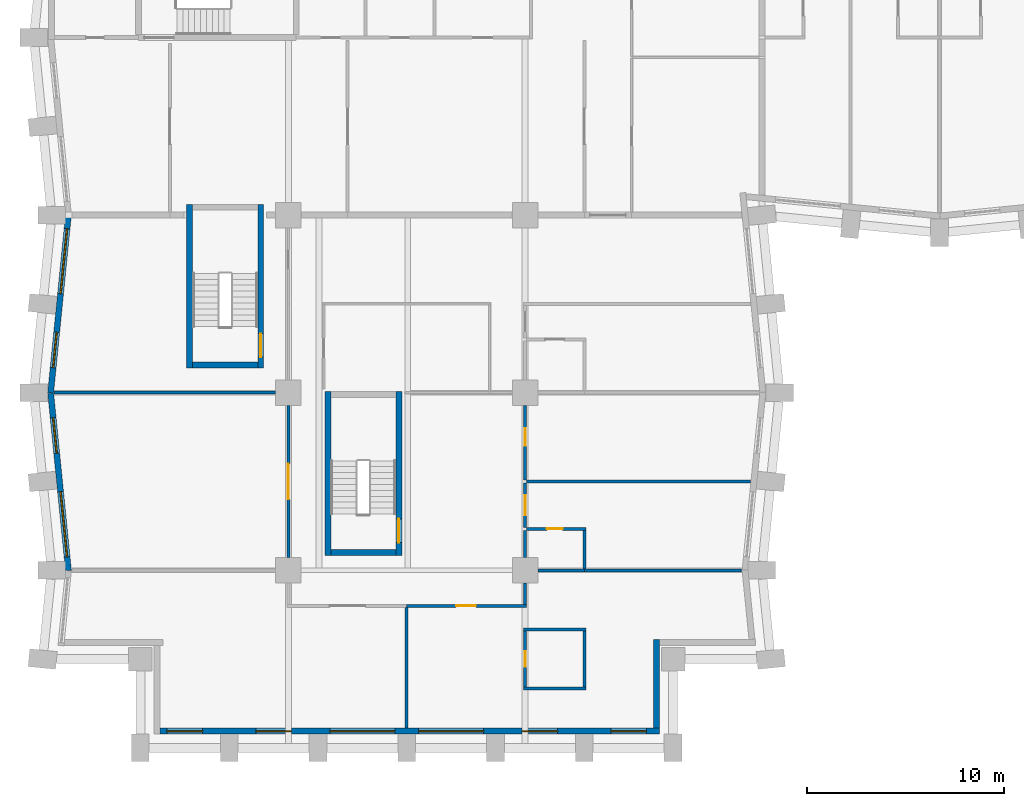
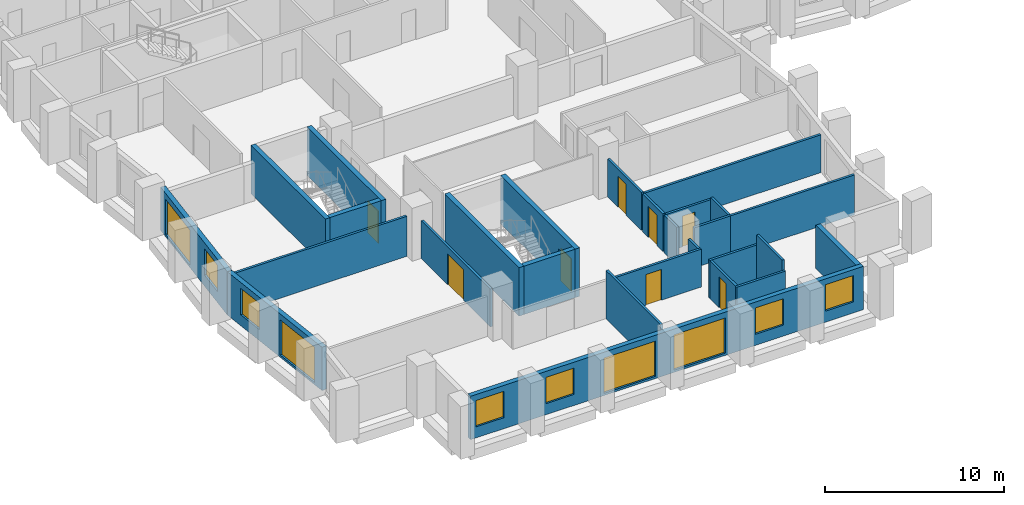
# One storey, part 3 of 12: 27 walls, 10 windows, 8 doors, 18 openings.
"""IFC4 building model written with IfcOpenShell, lengths in metres."""

from ifc_helpers import new_model, si_unit, direction, frame, frame_2d, origin, place, context, subcontext, project, spatial, rectangle, extrude, material, layer, layer_set, type_object, element, fill, save


model = new_model("IFC4")

# Units and contexts
model_context = context("Model", 3, precision=1e-05, world=origin(), true_north=direction((0.0, 1.0)))
body_context = subcontext(model_context, "Body", "Model", "MODEL_VIEW")
ifc_project = project(units=[si_unit("LENGTHUNIT", "METRE"), si_unit("AREAUNIT", "SQUARE_METRE"), si_unit("VOLUMEUNIT", "CUBIC_METRE"), si_unit("PLANEANGLEUNIT", "RADIAN"), si_unit("MASSUNIT", "GRAM", prefix="KILO")], contexts=[model_context])

# Site, building, storey
site_placement = place(None, origin())
site = spatial("IfcSite", under=ifc_project, at=site_placement, CompositionType="ELEMENT")
building_placement = place(site_placement, origin())
building = spatial("IfcBuilding", under=site, at=building_placement, Name="Brondeck Convention Tower", CompositionType="ELEMENT")
storey_placement = place(building_placement, frame((0.0, 0.0, 77.10009765625)))
storey = spatial("IfcBuildingStorey", under=building, at=storey_placement, Name="L17", CompositionType="ELEMENT", Elevation=77.10009765625)

# Wall, openings, windows
ifc_material_1 = material(Name="Precast concrete C50/60 bronze finish", Category="concrete")
ifc_layer_1 = layer(ifc_material_1, 0.070068359375, Name="Bronze precast facing")
ifc_material_2 = material(Name="Mineral wool")
ifc_layer_2 = layer(ifc_material_2, 0.159912109375, Name="Insulation")
ifc_material_3 = material(Name="Concrete C35/45", Category="concrete")
ifc_layer_3 = layer(ifc_material_3, 0.070068359375, Name="Backing")
ifc_layer_set_1 = layer_set([ifc_layer_1, ifc_layer_2, ifc_layer_3], Name="External infill wall, precast concrete C50/60 bronze facing")
wall_type_1 = type_object("IfcWallType", Name="External infill wall, precast concrete C50/60 bronze facing", PredefinedType="SOLIDWALL", material=ifc_layer_set_1)
wall_1_placement = place(storey_placement, frame((30.800048828125, 0.85009765625, 0.0), z_axis=(0.0, 0.0, 1.0), x_axis=(-1.0, 0.0, 0.0)))
wall_1 = element("IfcWall", 1, at=wall_1_placement, inside=storey, type_object=wall_type_1, Name="ENV-EW-L17-P0-B-S0-01", PredefinedType="SOLIDWALL", context=body_context, shape_type="SweptSolid", body=[
    extrude(rectangle(XDim=25.300048828125, YDim=0.300048828125, at=frame_2d((12.64990234375, 0.0))), origin(), (0.0, 0.0, 1.0), 2.949951171875),
])
opening_1_placement = place(wall_1_placement, frame((0.64990234375, 0.0, 0.75)))
opening_1 = element("IfcOpeningElement", 2, at=opening_1_placement, cuts=wall_1, Name="Opening W10", PredefinedType="OPENING", context=body_context, shape_type="SweptSolid", body=[
    extrude(rectangle(XDim=1.800048828125, YDim=1.800048828125, at=frame_2d((0.89990234375, 0.89990234375))), frame((0.0, 0.159912109375, 0.0), z_axis=(0.0, -1.0, 0.0), x_axis=(1.0, 0.0, 0.0)), (0.0, 0.0, 1.0), 0.320068359375),
])
opening_2_placement = place(wall_1_placement, frame((5.14990234375, 0.0, 0.75)))
opening_2 = element("IfcOpeningElement", 3, at=opening_2_placement, cuts=wall_1, Name="Opening W10", PredefinedType="OPENING", context=body_context, shape_type="SweptSolid", body=[
    extrude(rectangle(XDim=1.800048828125, YDim=1.800048828125, at=frame_2d((0.89990234375, 0.89990234375))), frame((0.0, 0.159912109375, 0.0), z_axis=(0.0, -1.0, 0.0), x_axis=(1.0, 0.0, 0.0)), (0.0, 0.0, 1.0), 0.320068359375),
])
opening_3_placement = place(wall_1_placement, frame((8.89990234375, 0.0, 0.14990234375)))
opening_3 = element("IfcOpeningElement", 4, at=opening_3_placement, cuts=wall_1, Name="Opening W9", PredefinedType="OPENING", context=body_context, shape_type="SweptSolid", body=[
    extrude(rectangle(XDim=3.300048828125, YDim=2.39990234375, at=frame_2d((1.64990234375, 1.199951171875))), frame((0.0, 0.159912109375, 0.0), z_axis=(0.0, -1.0, 0.0), x_axis=(1.0, 0.0, 0.0)), (0.0, 0.0, 1.0), 0.320068359375),
])
opening_4_placement = place(wall_1_placement, frame((13.39990234375, 0.0, 0.14990234375)))
opening_4 = element("IfcOpeningElement", 5, at=opening_4_placement, cuts=wall_1, Name="Opening W9", PredefinedType="OPENING", context=body_context, shape_type="SweptSolid", body=[
    extrude(rectangle(XDim=3.300048828125, YDim=2.39990234375, at=frame_2d((1.64990234375, 1.199951171875))), frame((0.0, 0.159912109375, 0.0), z_axis=(0.0, -1.0, 0.0), x_axis=(1.0, 0.0, 0.0)), (0.0, 0.0, 1.0), 0.320068359375),
])
opening_5_placement = place(wall_1_placement, frame((18.64990234375, 0.0, 0.75)))
opening_5 = element("IfcOpeningElement", 6, at=opening_5_placement, cuts=wall_1, Name="Opening W10", PredefinedType="OPENING", context=body_context, shape_type="SweptSolid", body=[
    extrude(rectangle(XDim=1.800048828125, YDim=1.800048828125, at=frame_2d((0.89990234375, 0.89990234375))), frame((0.0, 0.159912109375, 0.0), z_axis=(0.0, -1.0, 0.0), x_axis=(1.0, 0.0, 0.0)), (0.0, 0.0, 1.0), 0.320068359375),
])
opening_6_placement = place(wall_1_placement, frame((23.14990234375, 0.0, 0.75)))
opening_6 = element("IfcOpeningElement", 7, at=opening_6_placement, cuts=wall_1, Name="Opening W10", PredefinedType="OPENING", context=body_context, shape_type="SweptSolid", body=[
    extrude(rectangle(XDim=1.800048828125, YDim=1.800048828125, at=frame_2d((0.89990234375, 0.89990234375))), frame((0.0, 0.159912109375, 0.0), z_axis=(0.0, -1.0, 0.0), x_axis=(1.0, 0.0, 0.0)), (0.0, 0.0, 1.0), 0.320068359375),
])
ifc_material_4 = material(Name="Bronze tinted double glazing", Category="glass")
window_type_1 = type_object("IfcWindowType", Name="Glazed flute window, bronze tinted", PartitioningType="SINGLE_PANEL", PredefinedType="WINDOW", material=ifc_material_4)
window_1_placement = place(opening_3_placement, origin())
window_1 = element("IfcWindow", 8, at=window_1_placement, inside=storey, type_object=window_type_1, Name="ENV-WN-L17-P0-B-S0-04", OverallHeight=2.39990234375, OverallWidth=3.300048828125, PartitioningType="SINGLE_PANEL", PredefinedType="WINDOW", context=body_context, shape_type="SweptSolid", body=[
    extrude(rectangle(XDim=3.300048828125, YDim=2.39990234375, at=frame_2d((1.64990234375, 1.199951171875))), frame((0.0, 0.030029296875, 0.0), z_axis=(0.0, -1.0, 0.0), x_axis=(1.0, 0.0, 0.0)), (0.0, 0.0, 1.0), 0.06005859375),
])
fill(opening_3, window_1)
window_2_placement = place(opening_4_placement, origin())
window_2 = element("IfcWindow", 9, at=window_2_placement, inside=storey, type_object=window_type_1, Name="ENV-WN-L17-P0-B-S0-03", OverallHeight=2.39990234375, OverallWidth=3.300048828125, PartitioningType="SINGLE_PANEL", PredefinedType="WINDOW", context=body_context, shape_type="SweptSolid", body=[
    extrude(rectangle(XDim=3.300048828125, YDim=2.39990234375, at=frame_2d((1.64990234375, 1.199951171875))), frame((0.0, 0.030029296875, 0.0), z_axis=(0.0, -1.0, 0.0), x_axis=(1.0, 0.0, 0.0)), (0.0, 0.0, 1.0), 0.06005859375),
])
fill(opening_4, window_2)
window_type_2 = type_object("IfcWindowType", Name="Punched window, bronze tinted", PartitioningType="SINGLE_PANEL", PredefinedType="WINDOW", material=ifc_material_4)
window_3_placement = place(opening_1_placement, origin())
window_3 = element("IfcWindow", 10, at=window_3_placement, inside=storey, type_object=window_type_2, Name="ENV-WN-L17-P0-B-S0-06", OverallHeight=1.800048828125, OverallWidth=1.800048828125, PartitioningType="SINGLE_PANEL", PredefinedType="WINDOW", context=body_context, shape_type="SweptSolid", body=[
    extrude(rectangle(XDim=1.800048828125, YDim=1.800048828125, at=frame_2d((0.89990234375, 0.89990234375))), frame((0.0, 0.030029296875, 0.0), z_axis=(0.0, -1.0, 0.0), x_axis=(1.0, 0.0, 0.0)), (0.0, 0.0, 1.0), 0.06005859375),
])
fill(opening_1, window_3)
window_4_placement = place(opening_2_placement, origin())
window_4 = element("IfcWindow", 11, at=window_4_placement, inside=storey, type_object=window_type_2, Name="ENV-WN-L17-P0-B-S0-05", OverallHeight=1.800048828125, OverallWidth=1.800048828125, PartitioningType="SINGLE_PANEL", PredefinedType="WINDOW", context=body_context, shape_type="SweptSolid", body=[
    extrude(rectangle(XDim=1.800048828125, YDim=1.800048828125, at=frame_2d((0.89990234375, 0.89990234375))), frame((0.0, 0.030029296875, 0.0), z_axis=(0.0, -1.0, 0.0), x_axis=(1.0, 0.0, 0.0)), (0.0, 0.0, 1.0), 0.06005859375),
])
fill(opening_2, window_4)
window_5_placement = place(opening_5_placement, origin())
window_5 = element("IfcWindow", 12, at=window_5_placement, inside=storey, type_object=window_type_2, Name="ENV-WN-L17-P0-B-S0-02", OverallHeight=1.800048828125, OverallWidth=1.800048828125, PartitioningType="SINGLE_PANEL", PredefinedType="WINDOW", context=body_context, shape_type="SweptSolid", body=[
    extrude(rectangle(XDim=1.800048828125, YDim=1.800048828125, at=frame_2d((0.89990234375, 0.89990234375))), frame((0.0, 0.030029296875, 0.0), z_axis=(0.0, -1.0, 0.0), x_axis=(1.0, 0.0, 0.0)), (0.0, 0.0, 1.0), 0.06005859375),
])
fill(opening_5, window_5)
window_6_placement = place(opening_6_placement, origin())
window_6 = element("IfcWindow", 13, at=window_6_placement, inside=storey, type_object=window_type_2, Name="ENV-WN-L17-P0-B-S0-01", OverallHeight=1.800048828125, OverallWidth=1.800048828125, PartitioningType="SINGLE_PANEL", PredefinedType="WINDOW", context=body_context, shape_type="SweptSolid", body=[
    extrude(rectangle(XDim=1.800048828125, YDim=1.800048828125, at=frame_2d((0.89990234375, 0.89990234375))), frame((0.0, 0.030029296875, 0.0), z_axis=(0.0, -1.0, 0.0), x_axis=(1.0, 0.0, 0.0)), (0.0, 0.0, 1.0), 0.06005859375),
])
fill(opening_6, window_6)

# Wall
wall_2_placement = place(storey_placement, frame((30.64990234375, 5.5, 0.0), z_axis=(0.0, 0.0, 1.0), x_axis=(0.0, -1.0, 0.0)))
element("IfcWall", 14, at=wall_2_placement, inside=storey, type_object=wall_type_1, Name="ENV-EW-L17-P0-NC-SEB0-01", PredefinedType="SOLIDWALL", context=body_context, shape_type="SweptSolid", body=[
    extrude(rectangle(XDim=4.501953125, YDim=0.300048828125, at=frame_2d((2.2509765625, 0.0))), origin(), (0.0, 0.0, 1.0), 2.949951171875),
])

# Wall, openings, windows
wall_3_placement = place(storey_placement, frame((-0.04736328125, 17.985107421875, 0.0), z_axis=(0.0, 0.0, 1.0), x_axis=(0.099522457379, 0.995035316196, 0.0)))
wall_3 = element("IfcWall", 15, at=wall_3_placement, inside=storey, type_object=wall_type_1, Name="ENV-EW-L17-P0-B-W-08", PredefinedType="SOLIDWALL", context=body_context, shape_type="SweptSolid", body=[
    extrude(rectangle(XDim=9.030029296875, YDim=0.300048828125, at=frame_2d((4.51513671875, 0.0))), origin(), (0.0, 0.0, 1.0), 2.949951171875),
])
opening_7_placement = place(wall_3_placement, frame((1.291259765625, 0.0, 0.75)))
opening_7 = element("IfcOpeningElement", 16, at=opening_7_placement, cuts=wall_3, Name="Opening W10", PredefinedType="OPENING", context=body_context, shape_type="SweptSolid", body=[
    extrude(rectangle(XDim=1.800048828125, YDim=1.800048828125, at=frame_2d((0.89990234375, 0.89990234375))), frame((0.0, 0.159912109375, 0.0), z_axis=(0.0, -1.0, 0.0), x_axis=(1.0, 0.0, 0.0)), (0.0, 0.0, 1.0), 0.320068359375),
])
opening_8_placement = place(wall_3_placement, frame((5.063720703125, 0.0, 0.14990234375)))
opening_8 = element("IfcOpeningElement", 17, at=opening_8_placement, cuts=wall_3, Name="Opening W9", PredefinedType="OPENING", context=body_context, shape_type="SweptSolid", body=[
    extrude(rectangle(XDim=3.300048828125, YDim=2.39990234375, at=frame_2d((1.64990234375, 1.199951171875))), frame((0.0, 0.159912109375, 0.0), z_axis=(0.0, -1.0, 0.0), x_axis=(1.0, 0.0, 0.0)), (0.0, 0.0, 1.0), 0.320068359375),
])
window_7_placement = place(opening_8_placement, origin())
window_7 = element("IfcWindow", 18, at=window_7_placement, inside=storey, type_object=window_type_1, Name="ENV-WN-L17-P0-B-W-08", OverallHeight=2.39990234375, OverallWidth=3.300048828125, PartitioningType="SINGLE_PANEL", PredefinedType="WINDOW", context=body_context, shape_type="SweptSolid", body=[
    extrude(rectangle(XDim=3.300048828125, YDim=2.39990234375, at=frame_2d((1.64990234375, 1.199951171875))), frame((0.0, 0.030029296875, 0.0), z_axis=(0.0, -1.0, 0.0), x_axis=(1.0, 0.0, 0.0)), (0.0, 0.0, 1.0), 0.06005859375),
])
fill(opening_8, window_7)
window_8_placement = place(opening_7_placement, origin())
window_8 = element("IfcWindow", 19, at=window_8_placement, inside=storey, type_object=window_type_2, Name="ENV-WN-L17-P0-B-W-09", OverallHeight=1.800048828125, OverallWidth=1.800048828125, PartitioningType="SINGLE_PANEL", PredefinedType="WINDOW", context=body_context, shape_type="SweptSolid", body=[
    extrude(rectangle(XDim=1.800048828125, YDim=1.800048828125, at=frame_2d((0.89990234375, 0.89990234375))), frame((0.0, 0.030029296875, 0.0), z_axis=(0.0, -1.0, 0.0), x_axis=(1.0, 0.0, 0.0)), (0.0, 0.0, 1.0), 0.06005859375),
])
fill(opening_7, window_8)

wall_4_placement = place(storey_placement, frame((0.855712890625, 8.985107421875, 0.0), z_axis=(0.0, 0.0, 1.0), x_axis=(-0.099495688264, 0.995037993253, 0.0)))
wall_4 = element("IfcWall", 20, at=wall_4_placement, inside=storey, type_object=wall_type_1, Name="ENV-EW-L17-P0-B-W-10", PredefinedType="SOLIDWALL", context=body_context, shape_type="SweptSolid", body=[
    extrude(rectangle(XDim=9.030029296875, YDim=0.300048828125, at=frame_2d((4.51513671875, 0.0))), origin(), (0.0, 0.0, 1.0), 2.949951171875),
])
opening_9_placement = place(wall_4_placement, frame((0.711181640625, 0.0, 0.14990234375)))
opening_9 = element("IfcOpeningElement", 21, at=opening_9_placement, cuts=wall_4, Name="Opening W9", PredefinedType="OPENING", context=body_context, shape_type="SweptSolid", body=[
    extrude(rectangle(XDim=3.300048828125, YDim=2.39990234375, at=frame_2d((1.64990234375, 1.199951171875))), frame((0.0, 0.159912109375, 0.0), z_axis=(0.0, -1.0, 0.0), x_axis=(1.0, 0.0, 0.0)), (0.0, 0.0, 1.0), 0.320068359375),
])
opening_10_placement = place(wall_4_placement, frame((5.983642578125, 0.0, 0.75)))
opening_10 = element("IfcOpeningElement", 22, at=opening_10_placement, cuts=wall_4, Name="Opening W10", PredefinedType="OPENING", context=body_context, shape_type="SweptSolid", body=[
    extrude(rectangle(XDim=1.800048828125, YDim=1.800048828125, at=frame_2d((0.89990234375, 0.89990234375))), frame((0.0, 0.159912109375, 0.0), z_axis=(0.0, -1.0, 0.0), x_axis=(1.0, 0.0, 0.0)), (0.0, 0.0, 1.0), 0.320068359375),
])
window_9_placement = place(opening_9_placement, origin())
window_9 = element("IfcWindow", 23, at=window_9_placement, inside=storey, type_object=window_type_1, Name="ENV-WN-L17-P0-B-W-11", OverallHeight=2.39990234375, OverallWidth=3.300048828125, PartitioningType="SINGLE_PANEL", PredefinedType="WINDOW", context=body_context, shape_type="SweptSolid", body=[
    extrude(rectangle(XDim=3.300048828125, YDim=2.39990234375, at=frame_2d((1.64990234375, 1.199951171875))), frame((0.0, 0.030029296875, 0.0), z_axis=(0.0, -1.0, 0.0), x_axis=(1.0, 0.0, 0.0)), (0.0, 0.0, 1.0), 0.06005859375),
])
fill(opening_9, window_9)
window_10_placement = place(opening_10_placement, origin())
window_10 = element("IfcWindow", 24, at=window_10_placement, inside=storey, type_object=window_type_2, Name="ENV-WN-L17-P0-B-W-10", OverallHeight=1.800048828125, OverallWidth=1.800048828125, PartitioningType="SINGLE_PANEL", PredefinedType="WINDOW", context=body_context, shape_type="SweptSolid", body=[
    extrude(rectangle(XDim=1.800048828125, YDim=1.800048828125, at=frame_2d((0.89990234375, 0.89990234375))), frame((0.0, 0.030029296875, 0.0), z_axis=(0.0, -1.0, 0.0), x_axis=(1.0, 0.0, 0.0)), (0.0, 0.0, 1.0), 0.06005859375),
])
fill(opening_10, window_10)

# Walls
ifc_material_5 = material(Name="Double gypsum board acoustic wall")
ifc_layer_4 = layer(ifc_material_5, 0.14990234375)
ifc_layer_set_2 = layer_set([ifc_layer_4], Name="Guest room party wall 150")
wall_type_2 = type_object("IfcWallType", Name="Guest room party wall 150", PredefinedType="PARTITIONING", material=ifc_layer_set_2)
wall_5_placement = place(storey_placement, frame((23.925048828125, 3.0, 0.0), z_axis=(0.0, 0.0, 1.0), x_axis=(1.0, 0.0, 0.0)))
element("IfcWall", 25, at=wall_5_placement, inside=storey, type_object=wall_type_2, Name="FLR-L17-W001", PredefinedType="PARTITIONING", context=body_context, shape_type="SweptSolid", body=[
    extrude(rectangle(XDim=3.14990234375, YDim=0.14990234375, at=frame_2d((1.574951171875, 0.0))), origin(), (0.0, 0.0, 1.0), 2.579833984375),
])
wall_6_placement = place(storey_placement, frame((27.0, 3.074951171875, 0.0), z_axis=(0.0, 0.0, 1.0), x_axis=(0.0, 1.0, 0.0)))
element("IfcWall", 26, at=wall_6_placement, inside=storey, type_object=wall_type_2, Name="FLR-L17-W002", PredefinedType="PARTITIONING", context=body_context, shape_type="SweptSolid", body=[
    extrude(rectangle(XDim=2.85009765625, YDim=0.14990234375, at=frame_2d((1.425048828125, 0.0))), origin(), (0.0, 0.0, 1.0), 3.27978515625),
])

# Wall, opening, door
wall_7_placement = place(storey_placement, frame((24.0, 5.925048828125, 0.0), z_axis=(0.0, 0.0, 1.0), x_axis=(0.0, -1.0, 0.0)))
wall_7 = element("IfcWall", 27, at=wall_7_placement, inside=storey, type_object=wall_type_2, Name="FLR-L17-W003", PredefinedType="PARTITIONING", context=body_context, shape_type="SweptSolid", body=[
    extrude(rectangle(XDim=2.85009765625, YDim=0.14990234375, at=frame_2d((1.425048828125, 0.0))), origin(), (0.0, 0.0, 1.0), 2.579833984375),
])
opening_11_placement = place(wall_7_placement, frame((1.02490234375, 0.0, 0.0)))
opening_11 = element("IfcOpeningElement", 28, at=opening_11_placement, cuts=wall_7, Name="Opening H5-032", PredefinedType="OPENING", context=body_context, shape_type="SweptSolid", body=[
    extrude(rectangle(XDim=0.800048828125, YDim=2.10009765625, at=frame_2d((0.39990234375, 1.050048828125))), frame((0.0, 0.0849609375, 0.0), z_axis=(0.0, -1.0, 0.0), x_axis=(1.0, 0.0, 0.0)), (0.0, 0.0, 1.0), 0.169921875),
])
ifc_material_6 = material(Name="Solid timber door leaf", Category="wood")
door_type_1 = type_object("IfcDoorType", Name="En-suite door 800", OperationType="NOTDEFINED", PredefinedType="DOOR", material=ifc_material_6)
door_1_placement = place(opening_11_placement, origin())
door_1 = element("IfcDoor", 29, at=door_1_placement, inside=storey, type_object=door_type_1, Name="Door H5-032", OperationType="SINGLE_SWING_RIGHT", OverallHeight=2.10009765625, OverallWidth=0.800048828125, PredefinedType="DOOR", context=body_context, shape_type="SweptSolid", body=[
    extrude(rectangle(XDim=0.800048828125, YDim=2.10009765625, at=frame_2d((0.39990234375, 1.050048828125))), frame((0.0, 0.02490234375, 0.0), z_axis=(0.0, -1.0, 0.0), x_axis=(1.0, 0.0, 0.0)), (0.0, 0.0, 1.0), 0.050048828125),
])
fill(opening_11, door_1)

# Walls
wall_8_placement = place(storey_placement, frame((27.074951171875, 6.0, 0.0), z_axis=(0.0, 0.0, 1.0), x_axis=(-1.0, 0.0, 0.0)))
element("IfcWall", 30, at=wall_8_placement, inside=storey, type_object=wall_type_2, Name="FLR-L17-W004", PredefinedType="PARTITIONING", context=body_context, shape_type="SweptSolid", body=[
    extrude(rectangle(XDim=3.14990234375, YDim=0.14990234375, at=frame_2d((1.574951171875, 0.0))), origin(), (0.0, 0.0, 1.0), 2.579833984375),
])
wall_9_placement = place(storey_placement, frame((18.0, 7.125, 0.0), z_axis=(0.0, 0.0, 1.0), x_axis=(0.0, -1.0, 0.0)))
element("IfcWall", 31, at=wall_9_placement, inside=storey, type_object=wall_type_2, Name="FLR-L17-W005", PredefinedType="PARTITIONING", context=body_context, shape_type="SweptSolid", body=[
    extrude(rectangle(XDim=6.10498046875, YDim=0.14990234375, at=frame_2d((3.052490234375, 0.0))), origin(), (0.0, 0.0, 1.0), 3.27978515625),
])

# Wall, opening, door
wall_10_placement = place(storey_placement, frame((24.074951171875, 7.199951171875, 0.0), z_axis=(0.0, 0.0, 1.0), x_axis=(-1.0, 0.0, 0.0)))
wall_10 = element("IfcWall", 32, at=wall_10_placement, inside=storey, type_object=wall_type_2, Name="FLR-L17-W007", PredefinedType="PARTITIONING", context=body_context, shape_type="SweptSolid", body=[
    extrude(rectangle(XDim=6.074951171875, YDim=0.14990234375, at=frame_2d((3.03759765625, 0.0))), origin(), (0.0, 0.0, 1.0), 2.579833984375),
])
opening_12_placement = place(wall_10_placement, frame((2.574951171875, 0.0, 0.0)))
opening_12 = element("IfcOpeningElement", 33, at=opening_12_placement, cuts=wall_10, Name="Opening H5-031", PredefinedType="OPENING", context=body_context, shape_type="SweptSolid", body=[
    extrude(rectangle(XDim=1.0, YDim=2.10009765625, at=frame_2d((0.5, 1.050048828125))), frame((0.0, 0.0849609375, 0.0), z_axis=(0.0, -1.0, 0.0), x_axis=(1.0, 0.0, 0.0)), (0.0, 0.0, 1.0), 0.169921875),
])
ifc_material_7 = material(Name="Solid timber fire door leaf", Category="wood")
door_type_2 = type_object("IfcDoorType", Name="Guest room door 1000", OperationType="NOTDEFINED", PredefinedType="DOOR", material=ifc_material_7)
door_2_placement = place(opening_12_placement, origin())
door_2 = element("IfcDoor", 34, at=door_2_placement, inside=storey, type_object=door_type_2, Name="Door H5-031", OperationType="SINGLE_SWING_LEFT", OverallHeight=2.10009765625, OverallWidth=1.0, PredefinedType="DOOR", context=body_context, shape_type="SweptSolid", body=[
    extrude(rectangle(XDim=1.0, YDim=2.10009765625, at=frame_2d((0.5, 1.050048828125))), frame((0.0, 0.02490234375, 0.0), z_axis=(0.0, -1.0, 0.0), x_axis=(1.0, 0.0, 0.0)), (0.0, 0.0, 1.0), 0.050048828125),
])
fill(opening_12, door_2)

# Walls
wall_11_placement = place(storey_placement, frame((24.0, 8.344970703125, 0.0), z_axis=(0.0, 0.0, 1.0), x_axis=(0.0, -1.0, 0.0)))
element("IfcWall", 35, at=wall_11_placement, inside=storey, type_object=wall_type_2, Name="FLR-L17-W009", PredefinedType="PARTITIONING", context=body_context, shape_type="SweptSolid", body=[
    extrude(rectangle(XDim=1.070068359375, YDim=0.14990234375, at=frame_2d((0.53515625, 0.0))), origin(), (0.0, 0.0, 1.0), 2.579833984375),
])
wall_12_placement = place(storey_placement, frame((27.0, 9.0, 0.0), z_axis=(0.0, 0.0, 1.0), x_axis=(-1.0, 0.0, 0.0)))
element("IfcWall", 36, at=wall_12_placement, inside=storey, type_object=wall_type_2, Name="FLR-L17-W011", PredefinedType="PARTITIONING", context=body_context, shape_type="SweptSolid", body=[
    extrude(rectangle(XDim=2.344970703125, YDim=0.14990234375, at=frame_2d((1.17236328125, 0.0))), origin(), (0.0, 0.0, 1.0), 2.72998046875),
])
wall_13_placement = place(storey_placement, frame((34.97509765625, 9.0, 0.0), z_axis=(0.0, 0.0, 1.0), x_axis=(-1.0, 0.0, 0.0)))
element("IfcWall", 37, at=wall_13_placement, inside=storey, type_object=wall_type_2, Name="FLR-L17-W012", PredefinedType="PARTITIONING", context=body_context, shape_type="SweptSolid", body=[
    extrude(rectangle(XDim=7.97509765625, YDim=0.14990234375, at=frame_2d((3.987548828125, 0.0))), origin(), (0.0, 0.0, 1.0), 2.72998046875),
])
wall_14_placement = place(storey_placement, frame((27.0, 9.074951171875, 0.0), z_axis=(0.0, 0.0, 1.0), x_axis=(0.0, 1.0, 0.0)))
element("IfcWall", 38, at=wall_14_placement, inside=storey, type_object=wall_type_2, Name="FLR-L17-W013", PredefinedType="PARTITIONING", context=body_context, shape_type="SweptSolid", body=[
    extrude(rectangle(XDim=1.949951171875, YDim=0.14990234375, at=frame_2d((0.97509765625, 0.0))), origin(), (0.0, 0.0, 1.0), 2.72998046875),
])

# Wall, opening, door
wall_15_placement = place(storey_placement, frame((12.0, 9.655029296875, 0.0), z_axis=(0.0, 0.0, 1.0), x_axis=(0.0, 1.0, 0.0)))
wall_15 = element("IfcWall", 39, at=wall_15_placement, inside=storey, type_object=wall_type_2, Name="FLR-L17-W014", PredefinedType="PARTITIONING", context=body_context, shape_type="SweptSolid", body=[
    extrude(rectangle(XDim=7.68994140625, YDim=0.14990234375, at=frame_2d((3.844970703125, 0.0))), origin(), (0.0, 0.0, 1.0), 2.579833984375),
])
opening_13_placement = place(wall_15_placement, frame((2.945068359375, 0.0, 0.0)))
opening_13 = element("IfcOpeningElement", 40, at=opening_13_placement, cuts=wall_15, Name="Opening H5-023", PredefinedType="OPENING", context=body_context, shape_type="SweptSolid", body=[
    extrude(rectangle(XDim=1.800048828125, YDim=2.10009765625, at=frame_2d((0.89990234375, 1.050048828125))), frame((0.0, 0.0849609375, 0.0), z_axis=(0.0, -1.0, 0.0), x_axis=(1.0, 0.0, 0.0)), (0.0, 0.0, 1.0), 0.169921875),
])
ifc_material_8 = material(Name="Glazed timber double door", Category="wood")
door_type_3 = type_object("IfcDoorType", Name="Double door 1800", OperationType="DOUBLE_DOOR_SINGLE_SWING", PredefinedType="DOOR", material=ifc_material_8)
door_3_placement = place(opening_13_placement, origin())
door_3 = element("IfcDoor", 41, at=door_3_placement, inside=storey, type_object=door_type_3, Name="Door H5-023", OperationType="DOUBLE_DOOR_SINGLE_SWING", OverallHeight=2.10009765625, OverallWidth=1.800048828125, PredefinedType="DOOR", context=body_context, shape_type="SweptSolid", body=[
    extrude(rectangle(XDim=1.800048828125, YDim=2.10009765625, at=frame_2d((0.89990234375, 1.050048828125))), frame((0.0, 0.02490234375, 0.0), z_axis=(0.0, -1.0, 0.0), x_axis=(1.0, 0.0, 0.0)), (0.0, 0.0, 1.0), 0.050048828125),
])
fill(opening_13, door_3)

# Wall
wall_16_placement = place(storey_placement, frame((24.0, 11.02490234375, 0.0), z_axis=(0.0, 0.0, 1.0), x_axis=(0.0, -1.0, 0.0)))
element("IfcWall", 42, at=wall_16_placement, inside=storey, type_object=wall_type_2, Name="FLR-L17-W015", PredefinedType="PARTITIONING", context=body_context, shape_type="SweptSolid", body=[
    extrude(rectangle(XDim=1.369873046875, YDim=0.14990234375, at=frame_2d((0.68505859375, 0.0))), origin(), (0.0, 0.0, 1.0), 2.579833984375),
])

# Wall, opening, door
wall_17_placement = place(storey_placement, frame((27.074951171875, 11.10009765625, 0.0), z_axis=(0.0, 0.0, 1.0), x_axis=(-1.0, 0.0, 0.0)))
wall_17 = element("IfcWall", 43, at=wall_17_placement, inside=storey, type_object=wall_type_2, Name="FLR-L17-W016", PredefinedType="PARTITIONING", context=body_context, shape_type="SweptSolid", body=[
    extrude(rectangle(XDim=3.0, YDim=0.14990234375, at=frame_2d((1.5, 0.0))), origin(), (0.0, 0.0, 1.0), 2.579833984375),
])
opening_14_placement = place(wall_17_placement, frame((1.175048828125, 0.0, 0.0)))
opening_14 = element("IfcOpeningElement", 44, at=opening_14_placement, cuts=wall_17, Name="Opening H5-028", PredefinedType="OPENING", context=body_context, shape_type="SweptSolid", body=[
    extrude(rectangle(XDim=0.800048828125, YDim=2.10009765625, at=frame_2d((0.39990234375, 1.050048828125))), frame((0.0, 0.0849609375, 0.0), z_axis=(0.0, -1.0, 0.0), x_axis=(1.0, 0.0, 0.0)), (0.0, 0.0, 1.0), 0.169921875),
])
door_4_placement = place(opening_14_placement, origin())
door_4 = element("IfcDoor", 45, at=door_4_placement, inside=storey, type_object=door_type_1, Name="Door H5-028", OperationType="SINGLE_SWING_LEFT", OverallHeight=2.10009765625, OverallWidth=0.800048828125, PredefinedType="DOOR", context=body_context, shape_type="SweptSolid", body=[
    extrude(rectangle(XDim=0.800048828125, YDim=2.10009765625, at=frame_2d((0.39990234375, 1.050048828125))), frame((0.0, 0.02490234375, 0.0), z_axis=(0.0, -1.0, 0.0), x_axis=(1.0, 0.0, 0.0)), (0.0, 0.0, 1.0), 0.050048828125),
])
fill(opening_14, door_4)

wall_18_placement = place(storey_placement, frame((24.0, 13.425048828125, 0.0), z_axis=(0.0, 0.0, 1.0), x_axis=(0.0, -1.0, 0.0)))
wall_18 = element("IfcWall", 46, at=wall_18_placement, inside=storey, type_object=wall_type_2, Name="FLR-L17-W017", PredefinedType="PARTITIONING", context=body_context, shape_type="SweptSolid", body=[
    extrude(rectangle(XDim=2.25, YDim=0.14990234375, at=frame_2d((1.125, 0.0))), origin(), (0.0, 0.0, 1.0), 2.579833984375),
])
opening_15_placement = place(wall_18_placement, frame((0.625, 0.0, 0.0)))
opening_15 = element("IfcOpeningElement", 47, at=opening_15_placement, cuts=wall_18, Name="Opening H5-027", PredefinedType="OPENING", context=body_context, shape_type="SweptSolid", body=[
    extrude(rectangle(XDim=1.0, YDim=2.10009765625, at=frame_2d((0.5, 1.050048828125))), frame((0.0, 0.0849609375, 0.0), z_axis=(0.0, -1.0, 0.0), x_axis=(1.0, 0.0, 0.0)), (0.0, 0.0, 1.0), 0.169921875),
])
door_5_placement = place(opening_15_placement, origin())
door_5 = element("IfcDoor", 48, at=door_5_placement, inside=storey, type_object=door_type_2, Name="Door H5-027", OperationType="SINGLE_SWING_LEFT", OverallHeight=2.10009765625, OverallWidth=1.0, PredefinedType="DOOR", context=body_context, shape_type="SweptSolid", body=[
    extrude(rectangle(XDim=1.0, YDim=2.10009765625, at=frame_2d((0.5, 1.050048828125))), frame((0.0, 0.02490234375, 0.0), z_axis=(0.0, -1.0, 0.0), x_axis=(1.0, 0.0, 0.0)), (0.0, 0.0, 1.0), 0.050048828125),
])
fill(opening_15, door_5)

# Wall
wall_19_placement = place(storey_placement, frame((35.425048828125, 13.5, 0.0), z_axis=(0.0, 0.0, 1.0), x_axis=(-1.0, 0.0, 0.0)))
element("IfcWall", 49, at=wall_19_placement, inside=storey, type_object=wall_type_2, Name="FLR-L17-W018", PredefinedType="PARTITIONING", context=body_context, shape_type="SweptSolid", body=[
    extrude(rectangle(XDim=11.35009765625, YDim=0.14990234375, at=frame_2d((5.675048828125, 0.0))), origin(), (0.0, 0.0, 1.0), 2.579833984375),
])

# Wall, opening, door
wall_20_placement = place(storey_placement, frame((24.0, 17.344970703125, 0.0), z_axis=(0.0, 0.0, 1.0), x_axis=(0.0, -1.0, 0.0)))
wall_20 = element("IfcWall", 50, at=wall_20_placement, inside=storey, type_object=wall_type_2, Name="FLR-L17-W019", PredefinedType="PARTITIONING", context=body_context, shape_type="SweptSolid", body=[
    extrude(rectangle(XDim=3.77001953125, YDim=0.14990234375, at=frame_2d((1.885009765625, 0.0))), origin(), (0.0, 0.0, 1.0), 2.579833984375),
])
opening_16_placement = place(wall_20_placement, frame((1.14501953125, 0.0, 0.0)))
opening_16 = element("IfcOpeningElement", 51, at=opening_16_placement, cuts=wall_20, Name="Opening H5-026", PredefinedType="OPENING", context=body_context, shape_type="SweptSolid", body=[
    extrude(rectangle(XDim=0.89990234375, YDim=2.10009765625, at=frame_2d((0.449951171875, 1.050048828125))), frame((0.0, 0.0849609375, 0.0), z_axis=(0.0, -1.0, 0.0), x_axis=(1.0, 0.0, 0.0)), (0.0, 0.0, 1.0), 0.169921875),
])
door_type_4 = type_object("IfcDoorType", Name="Single door 900", OperationType="NOTDEFINED", PredefinedType="DOOR", material=ifc_material_6)
door_6_placement = place(opening_16_placement, origin())
door_6 = element("IfcDoor", 52, at=door_6_placement, inside=storey, type_object=door_type_4, Name="Door H5-026", OperationType="SINGLE_SWING_LEFT", OverallHeight=2.10009765625, OverallWidth=0.89990234375, PredefinedType="DOOR", context=body_context, shape_type="SweptSolid", body=[
    extrude(rectangle(XDim=0.89990234375, YDim=2.10009765625, at=frame_2d((0.449951171875, 1.050048828125))), frame((0.0, 0.02490234375, 0.0), z_axis=(0.0, -1.0, 0.0), x_axis=(1.0, 0.0, 0.0)), (0.0, 0.0, 1.0), 0.050048828125),
])
fill(opening_16, door_6)

# Walls
wall_21_placement = place(storey_placement, frame((11.344970703125, 18.0, 0.0), z_axis=(0.0, 0.0, 1.0), x_axis=(-1.0, 0.0, 0.0)))
element("IfcWall", 53, at=wall_21_placement, inside=storey, type_object=wall_type_2, Name="FLR-L17-W020", PredefinedType="PARTITIONING", context=body_context, shape_type="SweptSolid", body=[
    extrude(rectangle(XDim=11.219970703125, YDim=0.14990234375, at=frame_2d((5.60986328125, 0.0))), origin(), (0.0, 0.0, 1.0), 2.72998046875),
])
ifc_material_9 = material(Name="Concrete C80/95", Category="concrete")
ifc_layer_5 = layer(ifc_material_9, 0.300048828125)
ifc_layer_set_3 = layer_set([ifc_layer_5], Name="Stair enclosure wall 300 Concrete C80/95")
wall_type_3 = type_object("IfcWallType", Name="Stair enclosure wall 300 Concrete C80/95", PredefinedType="SHEAR", material=ifc_layer_set_3)
for number, where, z_axis, x_axis, name in (
    (54, (14.14990234375, 9.89990234375, 0.0), (0.0, 0.0, 1.0), (1.0, 0.0, 0.0), "L17 core wall"),
    (55, (7.14990234375, 19.39990234375, 0.0), (0.0, 0.0, 1.0), (1.0, 0.0, 0.0), "L17 core wall"),
):
    element("IfcWall", number, at=place(storey_placement, frame(where, z_axis=z_axis, x_axis=x_axis)), inside=storey, type_object=wall_type_3, Name=name, PredefinedType="SHEAR", context=body_context, shape_type="SweptSolid", body=[
        extrude(rectangle(XDim=3.300048828125, YDim=0.300048828125, at=frame_2d((1.64990234375, 0.0))), origin(), (0.0, 0.0, 1.0), 3.2998046875),
    ])
wall_22_placement = place(storey_placement, frame((7.0, 19.25, 0.0), z_axis=(0.0, 0.0, 1.0), x_axis=(0.0, 1.0, 0.0)))
element("IfcWall", 56, at=wall_22_placement, inside=storey, type_object=wall_type_3, Name="L17 core wall", PredefinedType="SHEAR", context=body_context, shape_type="SweptSolid", body=[
    extrude(rectangle(XDim=8.300048828125, YDim=0.300048828125, at=frame_2d((4.14990234375, 0.0))), origin(), (0.0, 0.0, 1.0), 3.2998046875),
])

# Wall, opening, door
wall_23_placement = place(storey_placement, frame((10.60009765625, 19.25, 0.0), z_axis=(0.0, 0.0, 1.0), x_axis=(0.0, 1.0, 0.0)))
wall_23 = element("IfcWall", 57, at=wall_23_placement, inside=storey, type_object=wall_type_3, Name="L17 core wall", PredefinedType="SHEAR", context=body_context, shape_type="SweptSolid", body=[
    extrude(rectangle(XDim=8.300048828125, YDim=0.300048828125, at=frame_2d((4.14990234375, 0.0))), origin(), (0.0, 0.0, 1.0), 3.2998046875),
])
opening_17_placement = place(wall_23_placement, frame((0.550048828125, 0.0, 0.0)))
opening_17 = element("IfcOpeningElement", 58, at=opening_17_placement, cuts=wall_23, Name="Opening C12-19", PredefinedType="OPENING", context=body_context, shape_type="SweptSolid", body=[
    extrude(rectangle(XDim=1.199951171875, YDim=2.199951171875, at=frame_2d((0.60009765625, 1.10009765625))), frame((0.0, 0.159912109375, 0.0), z_axis=(0.0, -1.0, 0.0), x_axis=(1.0, 0.0, 0.0)), (0.0, 0.0, 1.0), 0.320068359375),
])
ifc_material_10 = material(Name="Steel fire door", Category="steel")
door_type_5 = type_object("IfcDoorType", Name="Stair door 1200x2200 EI 90", OperationType="NOTDEFINED", PredefinedType="DOOR", material=ifc_material_10)
door_7_placement = place(opening_17_placement, origin())
door_7 = element("IfcDoor", 59, at=door_7_placement, inside=storey, type_object=door_type_5, Name="L17 Stair door ST-BE", OperationType="SINGLE_SWING_RIGHT", OverallHeight=2.199951171875, OverallWidth=1.199951171875, PredefinedType="DOOR", context=body_context, shape_type="SweptSolid", body=[
    extrude(rectangle(XDim=1.199951171875, YDim=2.199951171875, at=frame_2d((0.60009765625, 1.10009765625))), frame((0.0, 0.02490234375, 0.0), z_axis=(0.0, -1.0, 0.0), x_axis=(1.0, 0.0, 0.0)), (0.0, 0.0, 1.0), 0.050048828125),
])
fill(opening_17, door_7)

# Wall
wall_24_placement = place(storey_placement, frame((14.0, 9.75, 0.0), z_axis=(0.0, 0.0, 1.0), x_axis=(0.0, 1.0, 0.0)))
element("IfcWall", 60, at=wall_24_placement, inside=storey, type_object=wall_type_3, Name="L17 core wall", PredefinedType="SHEAR", context=body_context, shape_type="SweptSolid", body=[
    extrude(rectangle(XDim=8.300048828125, YDim=0.300048828125, at=frame_2d((4.14990234375, 0.0))), origin(), (0.0, 0.0, 1.0), 3.2998046875),
])

# Wall, opening, door
wall_25_placement = place(storey_placement, frame((17.60009765625, 9.75, 0.0), z_axis=(0.0, 0.0, 1.0), x_axis=(0.0, 1.0, 0.0)))
wall_25 = element("IfcWall", 61, at=wall_25_placement, inside=storey, type_object=wall_type_3, Name="L17 core wall", PredefinedType="SHEAR", context=body_context, shape_type="SweptSolid", body=[
    extrude(rectangle(XDim=8.300048828125, YDim=0.300048828125, at=frame_2d((4.14990234375, 0.0))), origin(), (0.0, 0.0, 1.0), 3.2998046875),
])
opening_18_placement = place(wall_25_placement, frame((0.64990234375, 0.0, 0.0)))
opening_18 = element("IfcOpeningElement", 62, at=opening_18_placement, cuts=wall_25, Name="Opening C12-20", PredefinedType="OPENING", context=body_context, shape_type="SweptSolid", body=[
    extrude(rectangle(XDim=1.199951171875, YDim=2.199951171875, at=frame_2d((0.60009765625, 1.10009765625))), frame((0.0, 0.159912109375, 0.0), z_axis=(0.0, -1.0, 0.0), x_axis=(1.0, 0.0, 0.0)), (0.0, 0.0, 1.0), 0.320068359375),
])
door_8_placement = place(opening_18_placement, origin())
door_8 = element("IfcDoor", 63, at=door_8_placement, inside=storey, type_object=door_type_5, Name="L17 Stair door ST-BF", OperationType="SINGLE_SWING_LEFT", OverallHeight=2.199951171875, OverallWidth=1.199951171875, PredefinedType="DOOR", context=body_context, shape_type="SweptSolid", body=[
    extrude(rectangle(XDim=1.199951171875, YDim=2.199951171875, at=frame_2d((0.60009765625, 1.10009765625))), frame((0.0, 0.02490234375, 0.0), z_axis=(0.0, -1.0, 0.0), x_axis=(1.0, 0.0, 0.0)), (0.0, 0.0, 1.0), 0.050048828125),
])
fill(opening_18, door_8)

save(model, "model.ifc")
